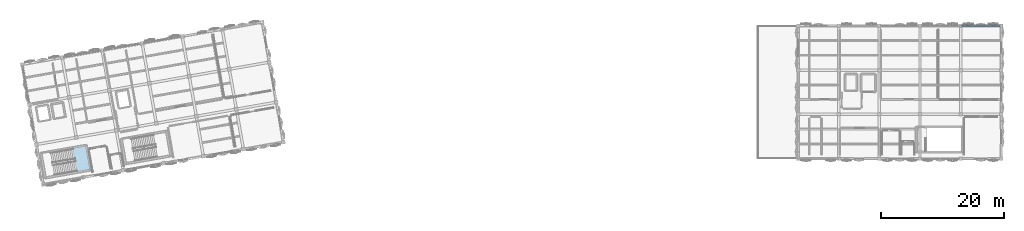
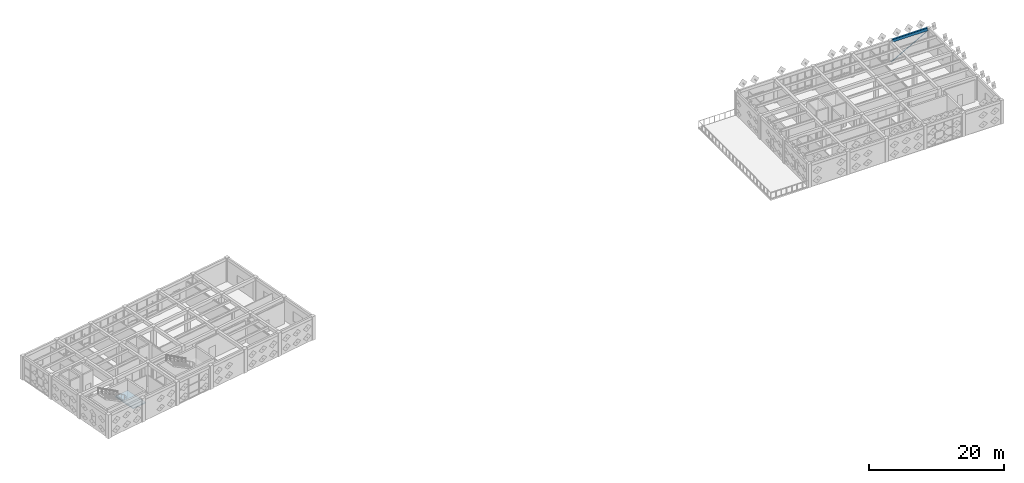
# One storey, part 15 of 29: 1 beam, 1 member, 1 slab, 1 element without a shape of its own.
"""IFC4 building model written with IfcOpenShell, lengths in metres."""

from ifc_helpers import new_model, si_unit, direction, frame, origin, origin_2d, place, context, subcontext, project, spatial, polyline, rectangle, hollow_circle, outline, extrude, material, layer, layer_set, material_profile, profile_set, type_object, element, aggregate, save


model = new_model("IFC4")

# Units and contexts
model_context = context("Model", 3, precision=1e-05, world=origin(), true_north=direction((0.0, 1.0)))
body_context = subcontext(model_context, "Body", "Model", "MODEL_VIEW")
ifc_project = project(units=[si_unit("LENGTHUNIT", "METRE"), si_unit("AREAUNIT", "SQUARE_METRE"), si_unit("VOLUMEUNIT", "CUBIC_METRE"), si_unit("PLANEANGLEUNIT", "RADIAN"), si_unit("MASSUNIT", "GRAM", prefix="KILO")], contexts=[model_context])

# Site, building, storey
site_placement = place(None, origin())
site = spatial("IfcSite", under=ifc_project, at=site_placement, CompositionType="ELEMENT")
building_placement = place(site_placement, origin())
building = spatial("IfcBuilding", under=site, at=building_placement, Name="Kharisveld Research Institute", CompositionType="ELEMENT")
storey_placement = place(building_placement, frame((0.0, 0.0, 32.10009765625)))
storey = spatial("IfcBuildingStorey", under=building, at=storey_placement, Name="L07", CompositionType="ELEMENT", Elevation=32.10009765625)

# Member
ifc_material_1 = material(Name="Steel S355J2H", Category="steel")
ifc_material_profile_1 = material_profile(ifc_material_1, hollow_circle(Radius=0.06982421875, WallThickness=0.00634765625, at=origin_2d()))
ifc_profile_set_1 = profile_set([ifc_material_profile_1], Name="Steel S355J2H")
member_type = type_object("IfcMemberType", Name="BR_CHS140", PredefinedType="BRACE", material=ifc_profile_set_1)
member_placement = place(storey_placement, frame((154.300048828125, 60.800048828125, 0.199951171875), z_axis=(0.874190307716, 0.0, 0.485583469545), x_axis=(0.0, 1.0, 0.0)))
element("IfcMember", 1, at=member_placement, inside=storey, type_object=member_type, Name="MEM:V2:L07:BR_6_3", PredefinedType="BRACE", context=body_context, shape_type="SweptSolid", body=[
    extrude(hollow_circle(Radius=0.06982421875, WallThickness=0.00634765625, at=origin_2d()), origin(), (0.0, 0.0, 1.0), 7.321044921875),
])

# Beam
ifc_material_2 = material(Name="Concrete C40/50", Category="concrete")
ifc_material_profile_2 = material_profile(ifc_material_2, rectangle(XDim=0.300048828125, YDim=0.5, at=origin_2d()))
ifc_profile_set_2 = profile_set([ifc_material_profile_2], Name="Concrete C40/50")
beam_type = type_object("IfcBeamType", Name="SP_RC_300x500", PredefinedType="SPANDREL", material=ifc_profile_set_2)
beam_placement = place(storey_placement, frame((154.47509765625, 60.800048828125, 4.054931640625), z_axis=(1.0, 0.0, 0.0), x_axis=(0.0, 1.0, 0.0)))
element("IfcBeam", 2, at=beam_placement, inside=storey, type_object=beam_type, Name="BM:V2:L07:U6_3", PredefinedType="SPANDREL", context=body_context, shape_type="SweptSolid", body=[
    extrude(rectangle(XDim=0.300048828125, YDim=0.5, at=origin_2d()), origin(), (0.0, 0.0, 1.0), 6.0498046875),
])

# Stair, slab
ifc_material_3 = material(Name="Concrete C40/50", Category="concrete")
stair_type = type_object("IfcStairType", Name="ST_EXIT_170", PredefinedType="TWO_STRAIGHT_RUN_STAIR", material=ifc_material_3)
stair_placement = place(storey_placement, origin())
stair = element("IfcStair", 3, at=stair_placement, inside=storey, type_object=stair_type, Name="STR:ST1:L07", PredefinedType="TWO_STRAIGHT_RUN_STAIR")
ifc_material_4 = material(Name="Concrete C40/50", Category="concrete")
ifc_layer = layer(ifc_material_4, 0.179931640625)
ifc_layer_set = layer_set([ifc_layer], Name="SL_LND_180")
slab_type = type_object("IfcSlabType", Name="SL_LND_180", PredefinedType="LANDING", material=ifc_layer_set)
slab_placement = place(storey_placement, frame((0.0, 0.0, 2.06982421875)))
slab = element("IfcSlab", 4, at=slab_placement, type_object=slab_type, Name="ST-01 landing 1", PredefinedType="LANDING", context=body_context, shape_type="SweptSolid", body=[
    extrude(outline(polyline([(10.54150390625, 36.936767578125), (12.909912109375, 37.3544921875), (12.194580078125, 41.411865234375), (9.826171875, 40.994140625), (10.54150390625, 36.936767578125)])), origin(), (0.0, 0.0, 1.0), 0.18017578125),
])
aggregate(stair, [slab])

save(model, "model.ifc")
